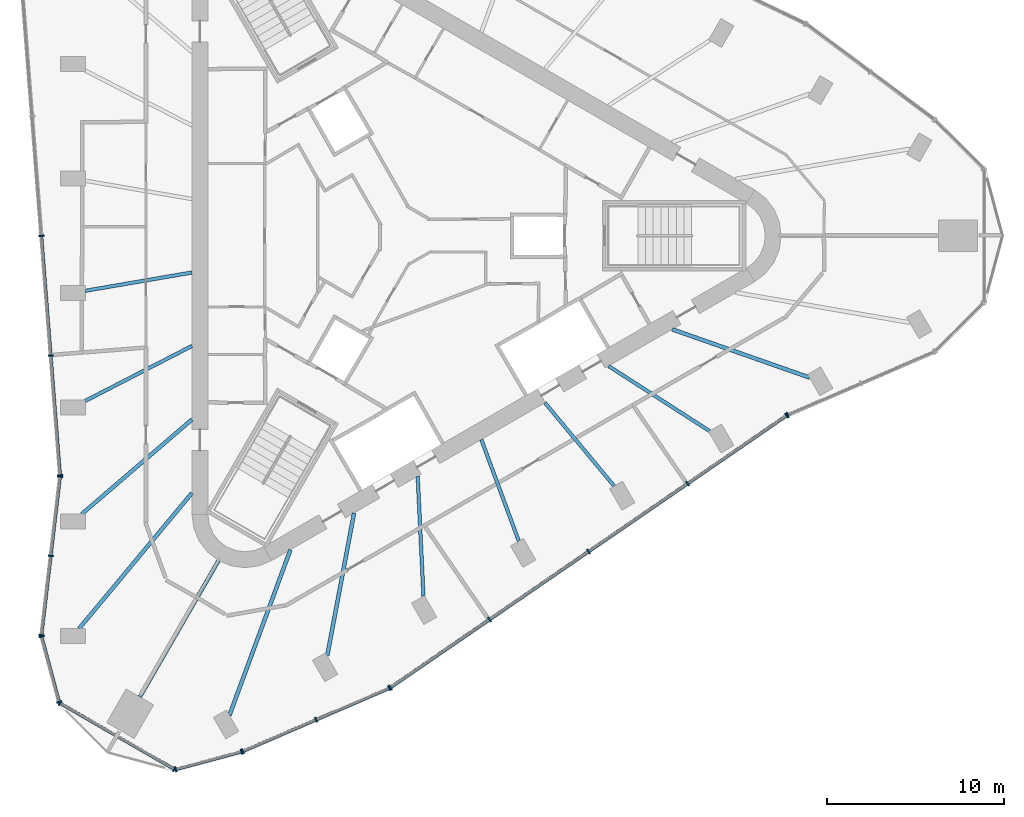
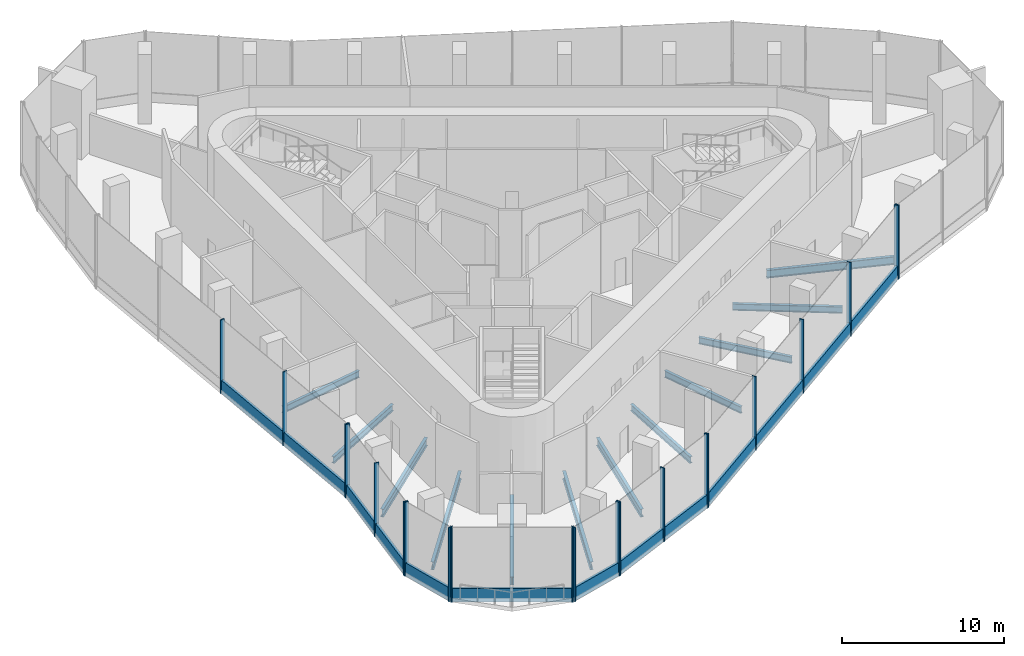
# One storey, part 2 of 13: 34 members, 12 beams, 8 elements without a shape of their own.
"""IFC4 building model written with IfcOpenShell, lengths in metres."""

from ifc_helpers import new_model, si_unit, direction, frame, origin, origin_2d, place, context, subcontext, project, spatial, rectangle, i_section, extrude, material, material_profile, profile_set, type_object, element, aggregate, save


model = new_model("IFC4")

# Units and contexts
model_context = context("Model", 3, precision=1e-05, world=origin(), true_north=direction((0.0, 1.0)))
body_context = subcontext(model_context, "Body", "Model", "MODEL_VIEW")
ifc_project = project(units=[si_unit("LENGTHUNIT", "METRE"), si_unit("AREAUNIT", "SQUARE_METRE"), si_unit("VOLUMEUNIT", "CUBIC_METRE"), si_unit("PLANEANGLEUNIT", "RADIAN"), si_unit("MASSUNIT", "GRAM", prefix="KILO")], contexts=[model_context])

# Site, building, storey
site_placement = place(None, origin())
site = spatial("IfcSite", under=ifc_project, at=site_placement, CompositionType="ELEMENT")
building_placement = place(site_placement, origin())
building = spatial("IfcBuilding", under=site, at=building_placement, Name="Tanit Gate Tower", CompositionType="ELEMENT")
storey_placement = place(building_placement, frame((0.0, 0.0, 404.800048828125)))
storey = spatial("IfcBuildingStorey", under=building, at=storey_placement, Name="L92", CompositionType="ELEMENT", Elevation=404.800048828125)

# Curtain wall, members
ifc_material_1 = material(Name="Aluminium bronze anodised and glass", Category="aluminium")
curtain_wall_type = type_object("IfcCurtainWallType", Name="Curtain wall observation", PredefinedType="NOTDEFINED", material=ifc_material_1)
curtain_wall_1_placement = place(storey_placement, origin())
curtain_wall_1 = element("IfcCurtainWall", 1, at=curtain_wall_1_placement, inside=storey, type_object=curtain_wall_type, Name="Curtain wall L92 W2", PredefinedType="NOTDEFINED")
ifc_material_2 = material(Name="Aluminium bronze anodised", Category="aluminium")
ifc_material_profile_1 = material_profile(ifc_material_2, rectangle(XDim=0.300048828125, YDim=0.080078125, at=origin_2d()), Name="80x300 bronze mullion")
ifc_profile_set_1 = profile_set([ifc_material_profile_1], Name="Aluminium bronze anodised")
member_type_1 = type_object("IfcMemberType", Name="Mullion 80x300 observation", PredefinedType="MULLION", material=ifc_profile_set_1)
member_1_placement = place(storey_placement, frame((-20.613525390625, -0.00244140625, -0.300048828125), z_axis=(0.0, 0.0, 1.0), x_axis=(0.996965976109, 0.077838566791, 0.0)))
member_1 = element("IfcMember", 2, at=member_1_placement, type_object=member_type_1, Name="Mullion L92 W2.3", PredefinedType="MULLION", context=body_context, shape_type="SweptSolid", body=[
    extrude(rectangle(XDim=0.300048828125, YDim=0.080078125, at=origin_2d()), origin(), (0.0, 0.0, 1.0), 5.550048828125),
])
member_2_placement = place(storey_placement, frame((-20.085205078125, -6.76953125, -0.300048828125), z_axis=(0.0, 0.0, 1.0), x_axis=(0.996965976109, 0.077838566791, 0.0)))
member_2 = element("IfcMember", 3, at=member_2_placement, type_object=member_type_1, Name="Mullion L92 W2.4", PredefinedType="MULLION", context=body_context, shape_type="SweptSolid", body=[
    extrude(rectangle(XDim=0.300048828125, YDim=0.080078125, at=origin_2d()), origin(), (0.0, 0.0, 1.0), 5.550048828125),
])
member_3_placement = place(storey_placement, frame((-19.556640625, -13.53662109375, -0.300048828125), z_axis=(0.0, 0.0, 1.0), x_axis=(0.996965976109, 0.077838566791, 0.0)))
member_3 = element("IfcMember", 4, at=member_3_placement, type_object=member_type_1, Name="Mullion L92 W2.5", PredefinedType="MULLION", context=body_context, shape_type="SweptSolid", body=[
    extrude(rectangle(XDim=0.300048828125, YDim=0.080078125, at=origin_2d()), origin(), (0.0, 0.0, 1.0), 5.550048828125),
])

curtain_wall_2_placement = place(storey_placement, origin())
curtain_wall_2 = element("IfcCurtainWall", 5, at=curtain_wall_2_placement, inside=storey, type_object=curtain_wall_type, Name="Curtain wall L92 W3", PredefinedType="NOTDEFINED")
member_4_placement = place(storey_placement, frame((-19.558349609375, -13.6162109375, -0.300048828125), z_axis=(0.0, 0.0, 1.0), x_axis=(0.993211998535, -0.116318209953, 0.0)))
member_4 = element("IfcMember", 6, at=member_4_placement, type_object=member_type_1, Name="Mullion L92 W3.1", PredefinedType="MULLION", context=body_context, shape_type="SweptSolid", body=[
    extrude(rectangle(XDim=0.300048828125, YDim=0.080078125, at=origin_2d()), origin(), (0.0, 0.0, 1.0), 5.550048828125),
])
member_5_placement = place(storey_placement, frame((-20.082763671875, -18.095703125, -0.300048828125), z_axis=(0.0, 0.0, 1.0), x_axis=(0.993211998535, -0.116318209953, 0.0)))
member_5 = element("IfcMember", 7, at=member_5_placement, type_object=member_type_1, Name="Mullion L92 W3.2", PredefinedType="MULLION", context=body_context, shape_type="SweptSolid", body=[
    extrude(rectangle(XDim=0.300048828125, YDim=0.080078125, at=origin_2d()), origin(), (0.0, 0.0, 1.0), 5.550048828125),
])
member_6_placement = place(storey_placement, frame((-20.607421875, -22.574951171875, -0.300048828125), z_axis=(0.0, 0.0, 1.0), x_axis=(0.993211998535, -0.116318209953, 0.0)))
member_6 = element("IfcMember", 8, at=member_6_placement, type_object=member_type_1, Name="Mullion L92 W3.3", PredefinedType="MULLION", context=body_context, shape_type="SweptSolid", body=[
    extrude(rectangle(XDim=0.300048828125, YDim=0.080078125, at=origin_2d()), origin(), (0.0, 0.0, 1.0), 5.550048828125),
])

curtain_wall_3_placement = place(storey_placement, origin())
curtain_wall_3 = element("IfcCurtainWall", 9, at=curtain_wall_3_placement, inside=storey, type_object=curtain_wall_type, Name="Curtain wall L92 SW.arc1", PredefinedType="NOTDEFINED")
member_7_placement = place(storey_placement, frame((-20.601806640625, -22.6533203125, -0.300048828125), z_axis=(0.0, 0.0, 1.0), x_axis=(0.965925826289, 0.258819045103, 0.0)))
member_7 = element("IfcMember", 10, at=member_7_placement, type_object=member_type_1, Name="Mullion L92 SW.arc1.1", PredefinedType="MULLION", context=body_context, shape_type="SweptSolid", body=[
    extrude(rectangle(XDim=0.300048828125, YDim=0.080078125, at=origin_2d()), origin(), (0.0, 0.0, 1.0), 5.550048828125),
])
member_8_placement = place(storey_placement, frame((-19.60888671875, -26.35888671875, -0.300048828125), z_axis=(0.0, 0.0, 1.0), x_axis=(0.965925826289, 0.258819045103, 0.0)))
member_8 = element("IfcMember", 11, at=member_8_placement, type_object=member_type_1, Name="Mullion L92 SW.arc1.2", PredefinedType="MULLION", context=body_context, shape_type="SweptSolid", body=[
    extrude(rectangle(XDim=0.300048828125, YDim=0.080078125, at=origin_2d()), origin(), (0.0, 0.0, 1.0), 5.550048828125),
])

curtain_wall_4_placement = place(storey_placement, origin())
curtain_wall_4 = element("IfcCurtainWall", 12, at=curtain_wall_4_placement, inside=storey, type_object=curtain_wall_type, Name="Curtain wall L92 SW.arc2", PredefinedType="NOTDEFINED")
member_9_placement = place(storey_placement, frame((-19.56396484375, -26.417724609375, -0.300048828125), z_axis=(0.0, 0.0, 1.0), x_axis=(0.5, 0.866025403784, 0.0)))
member_9 = element("IfcMember", 13, at=member_9_placement, type_object=member_type_1, Name="Mullion L92 SW.arc2.1", PredefinedType="MULLION", context=body_context, shape_type="SweptSolid", body=[
    extrude(rectangle(XDim=0.300048828125, YDim=0.080078125, at=origin_2d()), origin(), (0.0, 0.0, 1.0), 5.550048828125),
])
member_10_placement = place(storey_placement, frame((-13.096435546875, -30.151611328125, -0.300048828125), z_axis=(0.0, 0.0, 1.0), x_axis=(0.5, 0.866025403784, 0.0)))
member_10 = element("IfcMember", 14, at=member_10_placement, type_object=member_type_1, Name="Mullion L92 SW.arc2.2", PredefinedType="MULLION", context=body_context, shape_type="SweptSolid", body=[
    extrude(rectangle(XDim=0.300048828125, YDim=0.080078125, at=origin_2d()), origin(), (0.0, 0.0, 1.0), 5.550048828125),
])

curtain_wall_5_placement = place(storey_placement, origin())
curtain_wall_5 = element("IfcCurtainWall", 15, at=curtain_wall_5_placement, inside=storey, type_object=curtain_wall_type, Name="Curtain wall L92 SW.arc3", PredefinedType="NOTDEFINED")
member_11_placement = place(storey_placement, frame((-13.023193359375, -30.161376953125, -0.300048828125), z_axis=(0.0, 0.0, 1.0), x_axis=(-0.258819045103, 0.965925826289, 0.0)))
member_11 = element("IfcMember", 16, at=member_11_placement, type_object=member_type_1, Name="Mullion L92 SW.arc3.1", PredefinedType="MULLION", context=body_context, shape_type="SweptSolid", body=[
    extrude(rectangle(XDim=0.300048828125, YDim=0.080078125, at=origin_2d()), origin(), (0.0, 0.0, 1.0), 5.550048828125),
])
member_12_placement = place(storey_placement, frame((-9.3037109375, -29.164794921875, -0.300048828125), z_axis=(0.0, 0.0, 1.0), x_axis=(-0.258819045103, 0.965925826289, 0.0)))
member_12 = element("IfcMember", 17, at=member_12_placement, type_object=member_type_1, Name="Mullion L92 SW.arc3.2", PredefinedType="MULLION", context=body_context, shape_type="SweptSolid", body=[
    extrude(rectangle(XDim=0.300048828125, YDim=0.080078125, at=origin_2d()), origin(), (0.0, 0.0, 1.0), 5.550048828125),
])

curtain_wall_6_placement = place(storey_placement, origin())
curtain_wall_6 = element("IfcCurtainWall", 18, at=curtain_wall_6_placement, inside=storey, type_object=curtain_wall_type, Name="Curtain wall L92 SE1", PredefinedType="NOTDEFINED")
member_13_placement = place(storey_placement, frame((-9.228515625, -29.138427734375, -0.300048828125), z_axis=(0.0, 0.0, 1.0), x_axis=(-0.395871474525, 0.918305927051, 0.0)))
member_13 = element("IfcMember", 19, at=member_13_placement, type_object=member_type_1, Name="Mullion L92 SE1.1", PredefinedType="MULLION", context=body_context, shape_type="SweptSolid", body=[
    extrude(rectangle(XDim=0.300048828125, YDim=0.080078125, at=origin_2d()), origin(), (0.0, 0.0, 1.0), 5.550048828125),
])
member_14_placement = place(storey_placement, frame((-5.091064453125, -27.35498046875, -0.300048828125), z_axis=(0.0, 0.0, 1.0), x_axis=(-0.395871474525, 0.918305927051, 0.0)))
member_14 = element("IfcMember", 20, at=member_14_placement, type_object=member_type_1, Name="Mullion L92 SE1.2", PredefinedType="MULLION", context=body_context, shape_type="SweptSolid", body=[
    extrude(rectangle(XDim=0.300048828125, YDim=0.080078125, at=origin_2d()), origin(), (0.0, 0.0, 1.0), 5.550048828125),
])
member_15_placement = place(storey_placement, frame((-0.95361328125, -25.5712890625, -0.300048828125), z_axis=(0.0, 0.0, 1.0), x_axis=(-0.395871474525, 0.918305927051, 0.0)))
member_15 = element("IfcMember", 21, at=member_15_placement, type_object=member_type_1, Name="Mullion L92 SE1.3", PredefinedType="MULLION", context=body_context, shape_type="SweptSolid", body=[
    extrude(rectangle(XDim=0.300048828125, YDim=0.080078125, at=origin_2d()), origin(), (0.0, 0.0, 1.0), 5.550048828125),
])

curtain_wall_7_placement = place(storey_placement, origin())
curtain_wall_7 = element("IfcCurtainWall", 22, at=curtain_wall_7_placement, inside=storey, type_object=curtain_wall_type, Name="Curtain wall L92 SE2", PredefinedType="NOTDEFINED")
member_16_placement = place(storey_placement, frame((-0.884033203125, -25.532958984375, -0.300048828125), z_axis=(0.0, 0.0, 1.0), x_axis=(-0.56589316429, 0.824478578624, 0.0)))
member_16 = element("IfcMember", 23, at=member_16_placement, type_object=member_type_1, Name="Mullion L92 SE2.1", PredefinedType="MULLION", context=body_context, shape_type="SweptSolid", body=[
    extrude(rectangle(XDim=0.300048828125, YDim=0.080078125, at=origin_2d()), origin(), (0.0, 0.0, 1.0), 5.550048828125),
])
member_17_placement = place(storey_placement, frame((4.71240234375, -21.691650390625, -0.300048828125), z_axis=(0.0, 0.0, 1.0), x_axis=(-0.56589316429, 0.824478578624, 0.0)))
member_17 = element("IfcMember", 24, at=member_17_placement, type_object=member_type_1, Name="Mullion L92 SE2.2", PredefinedType="MULLION", context=body_context, shape_type="SweptSolid", body=[
    extrude(rectangle(XDim=0.300048828125, YDim=0.080078125, at=origin_2d()), origin(), (0.0, 0.0, 1.0), 5.550048828125),
])
member_18_placement = place(storey_placement, frame((10.308837890625, -17.8505859375, -0.300048828125), z_axis=(0.0, 0.0, 1.0), x_axis=(-0.56589316429, 0.824478578624, 0.0)))
member_18 = element("IfcMember", 25, at=member_18_placement, type_object=member_type_1, Name="Mullion L92 SE2.3", PredefinedType="MULLION", context=body_context, shape_type="SweptSolid", body=[
    extrude(rectangle(XDim=0.300048828125, YDim=0.080078125, at=origin_2d()), origin(), (0.0, 0.0, 1.0), 5.550048828125),
])
member_19_placement = place(storey_placement, frame((15.905029296875, -14.009521484375, -0.300048828125), z_axis=(0.0, 0.0, 1.0), x_axis=(-0.56589316429, 0.824478578624, 0.0)))
member_19 = element("IfcMember", 26, at=member_19_placement, type_object=member_type_1, Name="Mullion L92 SE2.4", PredefinedType="MULLION", context=body_context, shape_type="SweptSolid", body=[
    extrude(rectangle(XDim=0.300048828125, YDim=0.080078125, at=origin_2d()), origin(), (0.0, 0.0, 1.0), 5.550048828125),
])
member_20_placement = place(storey_placement, frame((21.50146484375, -10.168212890625, -0.300048828125), z_axis=(0.0, 0.0, 1.0), x_axis=(-0.56589316429, 0.824478578624, 0.0)))
member_20 = element("IfcMember", 27, at=member_20_placement, type_object=member_type_1, Name="Mullion L92 SE2.5", PredefinedType="MULLION", context=body_context, shape_type="SweptSolid", body=[
    extrude(rectangle(XDim=0.300048828125, YDim=0.080078125, at=origin_2d()), origin(), (0.0, 0.0, 1.0), 5.550048828125),
])

# Curtain wall, member
curtain_wall_8_placement = place(storey_placement, origin())
curtain_wall_8 = element("IfcCurtainWall", 28, at=curtain_wall_8_placement, inside=storey, type_object=curtain_wall_type, Name="Curtain wall L92 SE3", PredefinedType="NOTDEFINED")
member_21_placement = place(storey_placement, frame((21.571044921875, -10.1298828125, -0.300048828125), z_axis=(0.0, 0.0, 1.0), x_axis=(-0.395871474525, 0.918305927051, 0.0)))
member_21 = element("IfcMember", 29, at=member_21_placement, type_object=member_type_1, Name="Mullion L92 SE3.1", PredefinedType="MULLION", context=body_context, shape_type="SweptSolid", body=[
    extrude(rectangle(XDim=0.300048828125, YDim=0.080078125, at=origin_2d()), origin(), (0.0, 0.0, 1.0), 5.550048828125),
])
aggregate(curtain_wall_8, [member_21])

# Beams
ifc_material_3 = material(Name="Steel S355", Category="steel")
ifc_material_profile_2 = material_profile(ifc_material_3, i_section(OverallWidth=0.199951171875, OverallDepth=0.5, WebThickness=0.01025390625, FlangeThickness=0.01611328125, FilletRadius=0.02099609375, at=origin_2d()), Name="IPE 500")
ifc_profile_set_2 = profile_set([ifc_material_profile_2], Name="Steel S355")
beam_type_1 = type_object("IfcBeamType", Name="RADIAL GIRDER IPE 500 S355", PredefinedType="BEAM", material=ifc_profile_set_2)
beam_1_placement = place(storey_placement, frame((-18.134033203125, -3.11181640625, -0.550048828125), z_axis=(0.985592249699, 0.169138751719, 0.0), x_axis=(-0.169138751719, 0.985592249699, 0.0)))
element("IfcBeam", 30, at=beam_1_placement, inside=storey, type_object=beam_type_1, Name="RADIAL GIRDER", PredefinedType="BEAM", context=body_context, shape_type="SweptSolid", body=[
    extrude(i_section(OverallWidth=0.199951171875, OverallDepth=0.5, WebThickness=0.01025390625, FlangeThickness=0.01611328125, FilletRadius=0.02099609375, at=origin_2d()), origin(), (0.0, 0.0, 1.0), 6.1201171875),
])
for number, where, z_axis, x_axis, name in (
    (31, (-18.134033203125, -9.33544921875, -0.550048828125), (0.889089509104, 0.457733377416, 0.0), (-0.457733377416, 0.889089509104, 0.0), "RADIAL GIRDER"),
    (32, (0.982177734375, -20.372314453125, -0.550048828125), (-0.048148149824, 0.998840205272, 0.0), (-0.998840205272, -0.048148149824, 0.0), "RADIAL GIRDER"),
):
    element("IfcBeam", number, at=place(storey_placement, frame(where, z_axis=z_axis, x_axis=x_axis)), inside=storey, type_object=beam_type_1, Name=name, PredefinedType="BEAM", context=body_context, shape_type="SweptSolid", body=[
        extrude(i_section(OverallWidth=0.199951171875, OverallDepth=0.5, WebThickness=0.01025390625, FlangeThickness=0.01611328125, FilletRadius=0.02099609375, at=origin_2d()), origin(), (0.0, 0.0, 1.0), 6.784423828125),
    ])
beam_2_placement = place(storey_placement, frame((6.3720703125, -17.260498046875, -0.550048828125), z_axis=(-0.346331956525, 0.938112027366, 0.0), x_axis=(-0.938112027366, -0.346331956525, 0.0)))
element("IfcBeam", 33, at=beam_2_placement, inside=storey, type_object=beam_type_1, Name="RADIAL GIRDER", PredefinedType="BEAM", context=body_context, shape_type="SweptSolid", body=[
    extrude(i_section(OverallWidth=0.199951171875, OverallDepth=0.5, WebThickness=0.01025390625, FlangeThickness=0.01611328125, FilletRadius=0.02099609375, at=origin_2d()), origin(), (0.0, 0.0, 1.0), 6.1201171875),
])
beam_3_placement = place(storey_placement, frame((11.761962890625, -14.1484375, -0.550048828125), z_axis=(-0.639281465972, 0.76897282609, 0.0), x_axis=(-0.76897282609, -0.639281465972, 0.0)))
element("IfcBeam", 34, at=beam_3_placement, inside=storey, type_object=beam_type_1, Name="RADIAL GIRDER", PredefinedType="BEAM", context=body_context, shape_type="SweptSolid", body=[
    extrude(i_section(OverallWidth=0.199951171875, OverallDepth=0.5, WebThickness=0.01025390625, FlangeThickness=0.01611328125, FilletRadius=0.02099609375, at=origin_2d()), origin(), (0.0, 0.0, 1.0), 6.119873046875),
])
beam_4_placement = place(storey_placement, frame((17.151611328125, -11.036865234375, -0.550048828125), z_axis=(-0.840921151668, 0.541157663419, 0.0), x_axis=(-0.541157663419, -0.840921151668, 0.0)))
element("IfcBeam", 35, at=beam_4_placement, inside=storey, type_object=beam_type_1, Name="RADIAL GIRDER", PredefinedType="BEAM", context=body_context, shape_type="SweptSolid", body=[
    extrude(i_section(OverallWidth=0.199951171875, OverallDepth=0.5, WebThickness=0.01025390625, FlangeThickness=0.01611328125, FilletRadius=0.02099609375, at=origin_2d()), origin(), (0.0, 0.0, 1.0), 6.784423828125),
])
ifc_material_4 = material(Name="Steel S355", Category="steel")
ifc_material_profile_3 = material_profile(ifc_material_4, i_section(OverallWidth=0.219970703125, OverallDepth=0.60009765625, WebThickness=0.011962890625, FlangeThickness=0.01904296875, FilletRadius=0.02392578125, at=origin_2d()), Name="IPE 600")
ifc_profile_set_3 = profile_set([ifc_material_profile_3], Name="Steel S355")
beam_type_2 = type_object("IfcBeamType", Name="RADIAL GIRDER IPE 600 S355", PredefinedType="BEAM", material=ifc_profile_set_3)
beam_5_placement = place(storey_placement, frame((-18.338623046875, -15.734619140625, -0.60009765625), z_axis=(0.758929352331, 0.651172971008, 0.0), x_axis=(-0.651172971008, 0.758929352331, 0.0)))
element("IfcBeam", 36, at=beam_5_placement, inside=storey, type_object=beam_type_2, Name="RADIAL GIRDER", PredefinedType="BEAM", context=body_context, shape_type="SweptSolid", body=[
    extrude(i_section(OverallWidth=0.219970703125, OverallDepth=0.60009765625, WebThickness=0.011962890625, FlangeThickness=0.01904296875, FilletRadius=0.02392578125, at=origin_2d()), origin(), (0.0, 0.0, 1.0), 8.217529296875),
])
beam_6_placement = place(storey_placement, frame((-18.480224609375, -22.198486328125, -0.60009765625), z_axis=(0.639810946261, 0.768532337019, 0.0), x_axis=(-0.768532337019, 0.639810946261, 0.0)))
element("IfcBeam", 37, at=beam_6_placement, inside=storey, type_object=beam_type_2, Name="RADIAL GIRDER", PredefinedType="BEAM", context=body_context, shape_type="SweptSolid", body=[
    extrude(i_section(OverallWidth=0.219970703125, OverallDepth=0.60009765625, WebThickness=0.011962890625, FlangeThickness=0.01904296875, FilletRadius=0.02392578125, at=origin_2d()), origin(), (0.0, 0.0, 1.0), 9.96875),
])
beam_7_placement = place(storey_placement, frame((-15.0478515625, -26.063720703125, -0.60009765625), z_axis=(0.499983042864, 0.86603519377, 0.0), x_axis=(-0.86603519377, 0.499983042864, 0.0)))
element("IfcBeam", 38, at=beam_7_placement, inside=storey, type_object=beam_type_2, Name="RADIAL GIRDER", PredefinedType="BEAM", context=body_context, shape_type="SweptSolid", body=[
    extrude(i_section(OverallWidth=0.219970703125, OverallDepth=0.60009765625, WebThickness=0.011962890625, FlangeThickness=0.01904296875, FilletRadius=0.02392578125, at=origin_2d()), origin(), (0.0, 0.0, 1.0), 8.893798828125),
])
beam_8_placement = place(storey_placement, frame((-9.984619140625, -27.103515625, -0.60009765625), z_axis=(0.345682660263, 0.938351479134, 0.0), x_axis=(-0.938351479134, 0.345682660263, 0.0)))
element("IfcBeam", 39, at=beam_8_placement, inside=storey, type_object=beam_type_2, Name="RADIAL GIRDER", PredefinedType="BEAM", context=body_context, shape_type="SweptSolid", body=[
    extrude(i_section(OverallWidth=0.219970703125, OverallDepth=0.60009765625, WebThickness=0.011962890625, FlangeThickness=0.01904296875, FilletRadius=0.02392578125, at=origin_2d()), origin(), (0.0, 0.0, 1.0), 9.96875),
])
for number, where, z_axis, x_axis, name in (
    (40, (-4.45751953125, -23.7490234375, -0.60009765625), (0.184498405984, 0.982832812939, 0.0), (-0.982832812939, 0.184498405984, 0.0), "RADIAL GIRDER"),
    (41, (22.7958984375, -8.014404296875, -0.60009765625), (-0.943393322565, 0.331676105471, 0.0), (-0.331676105471, -0.943393322565, 0.0), "RADIAL GIRDER"),
):
    element("IfcBeam", number, at=place(storey_placement, frame(where, z_axis=z_axis, x_axis=x_axis)), inside=storey, type_object=beam_type_2, Name=name, PredefinedType="BEAM", context=body_context, shape_type="SweptSolid", body=[
        extrude(i_section(OverallWidth=0.219970703125, OverallDepth=0.60009765625, WebThickness=0.011962890625, FlangeThickness=0.01904296875, FilletRadius=0.02392578125, at=origin_2d()), origin(), (0.0, 0.0, 1.0), 8.217529296875),
    ])

# Member
ifc_material_5 = material(Name="Aluminium bronze anodised", Category="aluminium")
ifc_material_profile_4 = material_profile(ifc_material_5, rectangle(XDim=0.179931640625, YDim=1.0, at=origin_2d()), Name="180x1000 bronze transom")
ifc_profile_set_4 = profile_set([ifc_material_profile_4], Name="Aluminium bronze anodised")
member_type_2 = type_object("IfcMemberType", Name="Transom 180x1000 observation", PredefinedType="USERDEFINED", material=ifc_profile_set_4)
member_22_placement = place(storey_placement, frame((-20.6103515625, -0.042236328125, 0.199951171875), z_axis=(0.077854316831, -0.996964746293, 0.0), x_axis=(0.996964746293, 0.077854316831, 0.0)))
member_22 = element("IfcMember", 42, at=member_22_placement, type_object=member_type_2, Name="Transom L92 W2.3", ObjectType="TRANSOM", PredefinedType="USERDEFINED", context=body_context, shape_type="SweptSolid", body=[
    extrude(rectangle(XDim=0.179931640625, YDim=1.0, at=origin_2d()), origin(), (0.0, 0.0, 1.0), 6.70751953125),
])

member_23_placement = place(storey_placement, frame((-20.08203125, -6.809326171875, 0.199951171875), z_axis=(0.077851491829, -0.996964966897, 0.0), x_axis=(0.996964966897, 0.077851491829, 0.0)))
member_23 = element("IfcMember", 43, at=member_23_placement, type_object=member_type_2, Name="Transom L92 W2.4", ObjectType="TRANSOM", PredefinedType="USERDEFINED", context=body_context, shape_type="SweptSolid", body=[
    extrude(rectangle(XDim=0.179931640625, YDim=1.0, at=origin_2d()), origin(), (0.0, 0.0, 1.0), 6.707763671875),
])

aggregate(curtain_wall_1, [member_1, member_2, member_3, member_22, member_23])

member_24_placement = place(storey_placement, frame((-19.56298828125, -13.656005859375, 0.199951171875), z_axis=(-0.116284849592, -0.993215904905, 0.0), x_axis=(0.993215904905, -0.116284849592, 0.0)))
member_24 = element("IfcMember", 44, at=member_24_placement, type_object=member_type_2, Name="Transom L92 W3.1", ObjectType="TRANSOM", PredefinedType="USERDEFINED", context=body_context, shape_type="SweptSolid", body=[
    extrude(rectangle(XDim=0.179931640625, YDim=1.0, at=origin_2d()), origin(), (0.0, 0.0, 1.0), 4.429931640625),
])

member_25_placement = place(storey_placement, frame((-20.08740234375, -18.13525390625, 0.199951171875), z_axis=(-0.116332847467, -0.99321028418, 0.0), x_axis=(0.99321028418, -0.116332847467, 0.0)))
member_25 = element("IfcMember", 45, at=member_25_placement, type_object=member_type_2, Name="Transom L92 W3.2", ObjectType="TRANSOM", PredefinedType="USERDEFINED", context=body_context, shape_type="SweptSolid", body=[
    extrude(rectangle(XDim=0.179931640625, YDim=1.0, at=origin_2d()), origin(), (0.0, 0.0, 1.0), 4.43017578125),
])

aggregate(curtain_wall_2, [member_4, member_5, member_6, member_24, member_25])

member_26_placement = place(storey_placement, frame((-20.59130859375, -22.692138671875, 0.199951171875), z_axis=(0.258819472716, -0.96592571171, 0.0), x_axis=(0.96592571171, 0.258819472716, 0.0)))
member_26 = element("IfcMember", 46, at=member_26_placement, type_object=member_type_2, Name="Transom L92 SW.arc1.1", ObjectType="TRANSOM", PredefinedType="USERDEFINED", context=body_context, shape_type="SweptSolid", body=[
    extrude(rectangle(XDim=0.179931640625, YDim=1.0, at=origin_2d()), origin(), (0.0, 0.0, 1.0), 3.756103515625),
])

aggregate(curtain_wall_3, [member_7, member_8, member_26])

member_27_placement = place(storey_placement, frame((-19.529296875, -26.437744140625, 0.199951171875), z_axis=(0.866034254018, -0.499984670633, 0.0), x_axis=(0.499984670633, 0.866034254018, 0.0)))
member_27 = element("IfcMember", 47, at=member_27_placement, type_object=member_type_2, Name="Transom L92 SW.arc2.1", ObjectType="TRANSOM", PredefinedType="USERDEFINED", context=body_context, shape_type="SweptSolid", body=[
    extrude(rectangle(XDim=0.179931640625, YDim=1.0, at=origin_2d()), origin(), (0.0, 0.0, 1.0), 7.387939453125),
])

aggregate(curtain_wall_4, [member_9, member_10, member_27])

member_28_placement = place(storey_placement, frame((-12.984375, -30.15087890625, 0.199951171875), z_axis=(0.965925795588, 0.258819159681, 0.0), x_axis=(-0.258819159681, 0.965925795588, 0.0)))
member_28 = element("IfcMember", 48, at=member_28_placement, type_object=member_type_2, Name="Transom L92 SW.arc3.1", ObjectType="TRANSOM", PredefinedType="USERDEFINED", context=body_context, shape_type="SweptSolid", body=[
    extrude(rectangle(XDim=0.179931640625, YDim=1.0, at=origin_2d()), origin(), (0.0, 0.0, 1.0), 3.770263671875),
])

aggregate(curtain_wall_5, [member_11, member_12, member_28])

member_29_placement = place(storey_placement, frame((-9.191650390625, -29.12255859375, 0.199951171875), z_axis=(0.918315441962, 0.395849401987, 0.0), x_axis=(-0.395849401987, 0.918315441962, 0.0)))
member_29 = element("IfcMember", 49, at=member_29_placement, type_object=member_type_2, Name="Transom L92 SE1.1", ObjectType="TRANSOM", PredefinedType="USERDEFINED", context=body_context, shape_type="SweptSolid", body=[
    extrude(rectangle(XDim=0.179931640625, YDim=1.0, at=origin_2d()), origin(), (0.0, 0.0, 1.0), 4.42529296875),
])

member_30_placement = place(storey_placement, frame((-5.054443359375, -27.339111328125, 0.199951171875), z_axis=(0.918304032132, 0.395875870154, 0.0), x_axis=(-0.395875870154, 0.918304032132, 0.0)))
member_30 = element("IfcMember", 50, at=member_30_placement, type_object=member_type_2, Name="Transom L92 SE1.2", ObjectType="TRANSOM", PredefinedType="USERDEFINED", context=body_context, shape_type="SweptSolid", body=[
    extrude(rectangle(XDim=0.179931640625, YDim=1.0, at=origin_2d()), origin(), (0.0, 0.0, 1.0), 4.425537109375),
])

aggregate(curtain_wall_6, [member_13, member_14, member_15, member_29, member_30])

member_31_placement = place(storey_placement, frame((-0.85107421875, -25.51025390625, 0.199951171875), z_axis=(0.824482387079, 0.565887615517, 0.0), x_axis=(-0.565887615517, 0.824482387079, 0.0)))
member_31 = element("IfcMember", 51, at=member_31_placement, type_object=member_type_2, Name="Transom L92 SE2.1", ObjectType="TRANSOM", PredefinedType="USERDEFINED", context=body_context, shape_type="SweptSolid", body=[
    extrude(rectangle(XDim=0.179931640625, YDim=1.0, at=origin_2d()), origin(), (0.0, 0.0, 1.0), 6.707763671875),
])

member_32_placement = place(storey_placement, frame((4.745361328125, -21.669189453125, 0.199951171875), z_axis=(0.824482387079, 0.565887615517, 0.0), x_axis=(-0.565887615517, 0.824482387079, 0.0)))
member_32 = element("IfcMember", 52, at=member_32_placement, type_object=member_type_2, Name="Transom L92 SE2.2", ObjectType="TRANSOM", PredefinedType="USERDEFINED", context=body_context, shape_type="SweptSolid", body=[
    extrude(rectangle(XDim=0.179931640625, YDim=1.0, at=origin_2d()), origin(), (0.0, 0.0, 1.0), 6.707763671875),
])

member_33_placement = place(storey_placement, frame((10.341796875, -17.827880859375, 0.199951171875), z_axis=(0.824487713367, 0.565879855188, 0.0), x_axis=(-0.565879855188, 0.824487713367, 0.0)))
member_33 = element("IfcMember", 53, at=member_33_placement, type_object=member_type_2, Name="Transom L92 SE2.3", ObjectType="TRANSOM", PredefinedType="USERDEFINED", context=body_context, shape_type="SweptSolid", body=[
    extrude(rectangle(XDim=0.179931640625, YDim=1.0, at=origin_2d()), origin(), (0.0, 0.0, 1.0), 6.70751953125),
])

member_34_placement = place(storey_placement, frame((15.93798828125, -13.98681640625, 0.199951171875), z_axis=(0.824482387079, 0.565887615517, 0.0), x_axis=(-0.565887615517, 0.824482387079, 0.0)))
member_34 = element("IfcMember", 54, at=member_34_placement, type_object=member_type_2, Name="Transom L92 SE2.4", ObjectType="TRANSOM", PredefinedType="USERDEFINED", context=body_context, shape_type="SweptSolid", body=[
    extrude(rectangle(XDim=0.179931640625, YDim=1.0, at=origin_2d()), origin(), (0.0, 0.0, 1.0), 6.707763671875),
])

aggregate(curtain_wall_7, [member_16, member_17, member_18, member_19, member_20, member_31, member_32, member_33, member_34])

save(model, "model.ifc")
